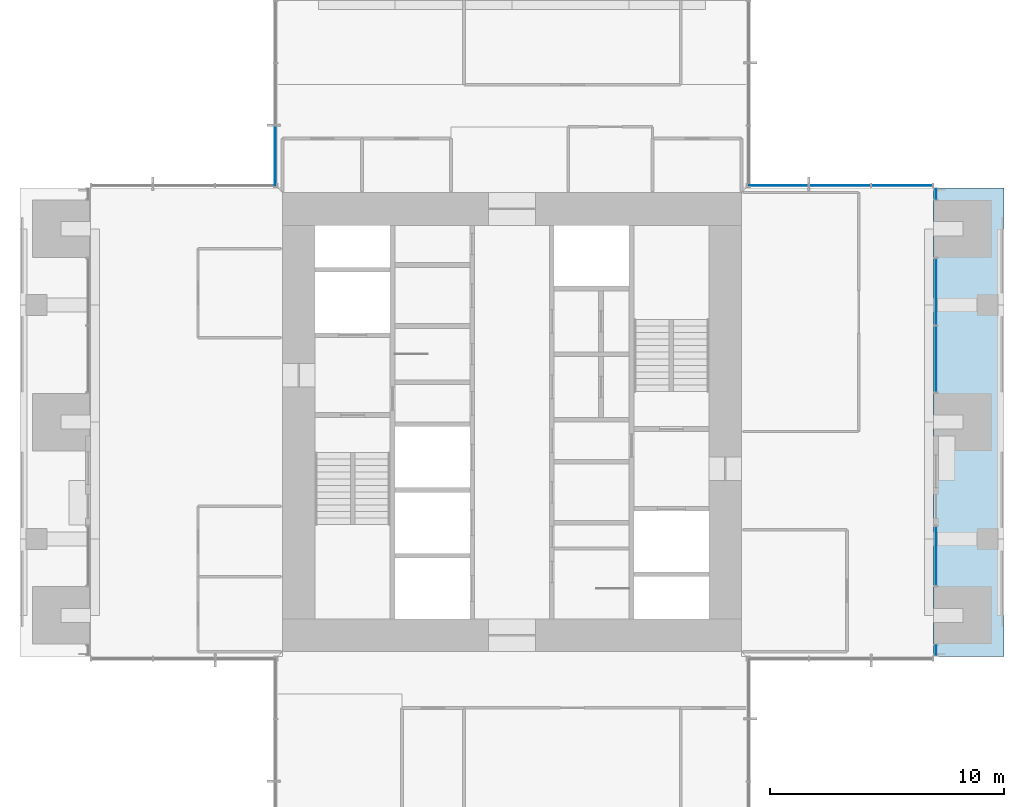
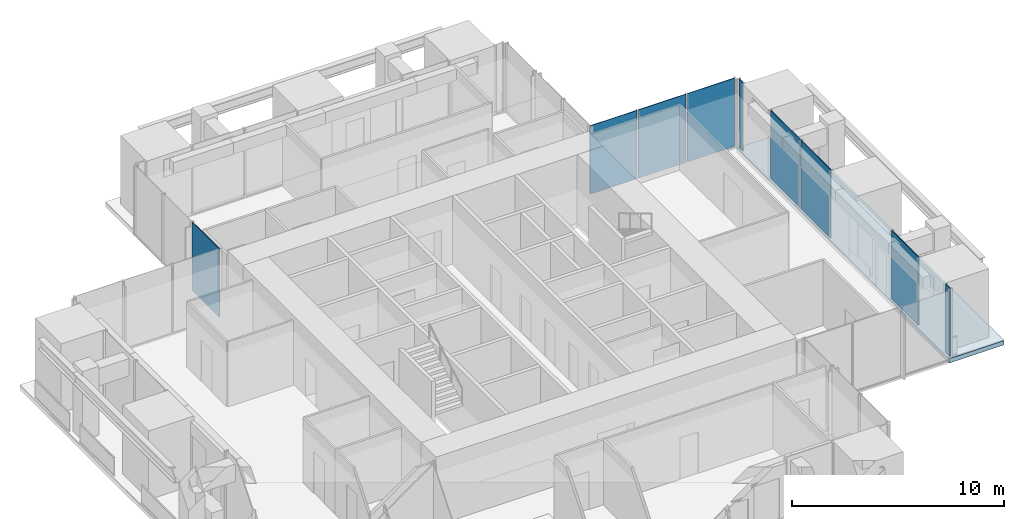
# One storey, part 10 of 17: 9 plates, 1 slab, 6 elements without a shape of their own.
"""IFC4 building model written with IfcOpenShell, lengths in metres."""

from ifc_helpers import new_model, si_unit, direction, frame, origin, origin_2d, place, context, subcontext, project, spatial, polyline, rectangle, outline, extrude, material, layer, layer_set, type_object, element, aggregate, save


model = new_model("IFC4")

# Units and contexts
model_context = context("Model", 3, precision=1e-05, world=origin(), true_north=direction((0.0, 1.0)))
body_context = subcontext(model_context, "Body", "Model", "MODEL_VIEW")
ifc_project = project(units=[si_unit("LENGTHUNIT", "METRE"), si_unit("AREAUNIT", "SQUARE_METRE"), si_unit("VOLUMEUNIT", "CUBIC_METRE"), si_unit("PLANEANGLEUNIT", "RADIAN"), si_unit("MASSUNIT", "GRAM", prefix="KILO")], contexts=[model_context])

# Site, building, storey
site_placement = place(None, origin())
site = spatial("IfcSite", under=ifc_project, at=site_placement, CompositionType="ELEMENT")
building_placement = place(site_placement, origin())
building = spatial("IfcBuilding", under=site, at=building_placement, Name="Svetlomir Tower", CompositionType="ELEMENT")
storey_placement = place(building_placement, frame((0.0, 0.0, 218.5)))
storey = spatial("IfcBuildingStorey", under=building, at=storey_placement, Name="L52", CompositionType="ELEMENT", Elevation=218.5)

# Curtain wall, plate
ifc_material_1 = material(Name="Bronze anodised aluminium curtain wall", Category="aluminium")
curtain_wall_type = type_object("IfcCurtainWallType", Name="CURTAIN WALL CW1 TOWER OFFICE", PredefinedType="NOTDEFINED", material=ifc_material_1)
curtain_wall_1_placement = place(storey_placement, origin())
curtain_wall_1 = element("IfcCurtainWall", 1, at=curtain_wall_1_placement, inside=storey, type_object=curtain_wall_type, Name="Curtain wall CW1 L52", PredefinedType="NOTDEFINED")
ifc_material_2 = material(Name="Tinted double glazed unit", Category="glass")
ifc_layer_1 = layer(ifc_material_2, 0.031982421875)
ifc_layer_set_1 = layer_set([ifc_layer_1], Name="Tinted double glazed unit")
plate_type = type_object("IfcPlateType", Name="CW1 GLAZED PANEL 32", PredefinedType="CURTAIN_PANEL", material=ifc_layer_set_1)
plate_1_placement = place(storey_placement, frame((39.10009765625, 11.262451171875, 0.06494140625), z_axis=(0.0, 0.0, 1.0), x_axis=(0.0, 1.0, 0.0)))
plate_1 = element("IfcPlate", 2, at=plate_1_placement, type_object=plate_type, Name="CW1 panel 1.1", PredefinedType="CURTAIN_PANEL", context=body_context, shape_type="SweptSolid", body=[
    extrude(rectangle(XDim=0.39501953125, YDim=0.031982421875, at=origin_2d()), origin(), (0.0, 0.0, 1.0), 3.93505859375),
])
aggregate(curtain_wall_1, [plate_1])

curtain_wall_2_placement = place(storey_placement, origin())
curtain_wall_2 = element("IfcCurtainWall", 3, at=curtain_wall_2_placement, inside=storey, type_object=curtain_wall_type, Name="Curtain wall CW1 L52", PredefinedType="NOTDEFINED")
plate_2_placement = place(storey_placement, frame((39.10009765625, 15.28759765625, 0.06494140625), z_axis=(0.0, 0.0, 1.0), x_axis=(0.0, 1.0, 0.0)))
plate_2 = element("IfcPlate", 4, at=plate_2_placement, type_object=plate_type, Name="CW1 panel 1.1", PredefinedType="CURTAIN_PANEL", context=body_context, shape_type="SweptSolid", body=[
    extrude(rectangle(XDim=2.4951171875, YDim=0.031982421875, at=origin_2d()), origin(), (0.0, 0.0, 1.0), 3.93505859375),
])
aggregate(curtain_wall_2, [plate_2])

# Curtain wall, plates
curtain_wall_3_placement = place(storey_placement, origin())
curtain_wall_3 = element("IfcCurtainWall", 5, at=curtain_wall_3_placement, inside=storey, type_object=curtain_wall_type, Name="Curtain wall CW1 L52", PredefinedType="NOTDEFINED")
plate_3_placement = place(storey_placement, frame((39.10009765625, 23.691162109375, 0.06494140625), z_axis=(0.0, 0.0, 1.0), x_axis=(0.0, 1.0, 0.0)))
plate_3 = element("IfcPlate", 6, at=plate_3_placement, type_object=plate_type, Name="CW1 panel 1.1", PredefinedType="CURTAIN_PANEL", context=body_context, shape_type="SweptSolid", body=[
    extrude(rectangle(XDim=2.802490234375, YDim=0.031982421875, at=origin_2d()), origin(), (0.0, 0.0, 1.0), 3.93505859375),
])
plate_4_placement = place(storey_placement, frame((39.10009765625, 26.558837890625, 0.06494140625), z_axis=(0.0, 0.0, 1.0), x_axis=(0.0, 1.0, 0.0)))
plate_4 = element("IfcPlate", 7, at=plate_4_placement, type_object=plate_type, Name="CW1 panel 2.1", PredefinedType="CURTAIN_PANEL", context=body_context, shape_type="SweptSolid", body=[
    extrude(rectangle(XDim=2.802490234375, YDim=0.031982421875, at=origin_2d()), origin(), (0.0, 0.0, 1.0), 3.93505859375),
])
aggregate(curtain_wall_3, [plate_3, plate_4])

# Curtain wall, plate
curtain_wall_4_placement = place(storey_placement, origin())
curtain_wall_4 = element("IfcCurtainWall", 8, at=curtain_wall_4_placement, inside=storey, type_object=curtain_wall_type, Name="Curtain wall CW1 L52", PredefinedType="NOTDEFINED")
plate_5_placement = place(storey_placement, frame((39.10009765625, 30.737548828125, 0.06494140625), z_axis=(0.0, 0.0, 1.0), x_axis=(0.0, 1.0, 0.0)))
plate_5 = element("IfcPlate", 9, at=plate_5_placement, type_object=plate_type, Name="CW1 panel 1.1", PredefinedType="CURTAIN_PANEL", context=body_context, shape_type="SweptSolid", body=[
    extrude(rectangle(XDim=0.39501953125, YDim=0.031982421875, at=origin_2d()), origin(), (0.0, 0.0, 1.0), 3.93505859375),
])
aggregate(curtain_wall_4, [plate_5])

# Curtain wall, plates
curtain_wall_5_placement = place(storey_placement, origin())
curtain_wall_5 = element("IfcCurtainWall", 10, at=curtain_wall_5_placement, inside=storey, type_object=curtain_wall_type, Name="Curtain wall CW1 L52", PredefinedType="NOTDEFINED")
plate_6_placement = place(storey_placement, frame((37.650390625, 31.10009765625, 0.06494140625), z_axis=(0.0, 0.0, 1.0), x_axis=(-1.0, 0.0, 0.0)))
plate_6 = element("IfcPlate", 11, at=plate_6_placement, type_object=plate_type, Name="CW1 panel 1.1", PredefinedType="CURTAIN_PANEL", context=body_context, shape_type="SweptSolid", body=[
    extrude(rectangle(XDim=2.569091796875, YDim=0.031982421875, at=origin_2d()), origin(), (0.0, 0.0, 1.0), 3.93505859375),
])
plate_7_placement = place(storey_placement, frame((35.0, 31.10009765625, 0.06494140625), z_axis=(0.0, 0.0, 1.0), x_axis=(-1.0, 0.0, 0.0)))
plate_7 = element("IfcPlate", 12, at=plate_7_placement, type_object=plate_type, Name="CW1 panel 2.1", PredefinedType="CURTAIN_PANEL", context=body_context, shape_type="SweptSolid", body=[
    extrude(rectangle(XDim=2.6015625, YDim=0.031982421875, at=origin_2d()), origin(), (0.0, 0.0, 1.0), 3.93505859375),
])
plate_8_placement = place(storey_placement, frame((32.349609375, 31.10009765625, 0.06494140625), z_axis=(0.0, 0.0, 1.0), x_axis=(-1.0, 0.0, 0.0)))
plate_8 = element("IfcPlate", 13, at=plate_8_placement, type_object=plate_type, Name="CW1 panel 3.1", PredefinedType="CURTAIN_PANEL", context=body_context, shape_type="SweptSolid", body=[
    extrude(rectangle(XDim=2.569091796875, YDim=0.031982421875, at=origin_2d()), origin(), (0.0, 0.0, 1.0), 3.93505859375),
])
aggregate(curtain_wall_5, [plate_6, plate_7, plate_8])

# Curtain wall, plate
curtain_wall_6_placement = place(storey_placement, origin())
curtain_wall_6 = element("IfcCurtainWall", 14, at=curtain_wall_6_placement, inside=storey, type_object=curtain_wall_type, Name="Curtain wall CW1 L52", PredefinedType="NOTDEFINED")
plate_9_placement = place(storey_placement, frame((10.89990234375, 32.349609375, 0.06494140625), z_axis=(0.0, 0.0, 1.0), x_axis=(0.0, -1.0, 0.0)))
plate_9 = element("IfcPlate", 15, at=plate_9_placement, type_object=plate_type, Name="CW1 panel 3.1", PredefinedType="CURTAIN_PANEL", context=body_context, shape_type="SweptSolid", body=[
    extrude(rectangle(XDim=2.569091796875, YDim=0.031982421875, at=origin_2d()), origin(), (0.0, 0.0, 1.0), 3.93505859375),
])
aggregate(curtain_wall_6, [plate_9])

# Slab
ifc_material_3 = material(Name="Concrete C60/75", Category="concrete")
ifc_layer_2 = layer(ifc_material_3, 0.25)
ifc_layer_set_2 = layer_set([ifc_layer_2], Name="Concrete C60/75")
slab_type = type_object("IfcSlabType", Name="PLANTED LOGGIA SLAB 250", PredefinedType="FLOOR", material=ifc_layer_set_2)
slab_placement = place(storey_placement, frame((0.0, 0.0, -0.25)))
element("IfcSlab", 16, at=slab_placement, inside=storey, type_object=slab_type, Name="L52 E planted loggia", PredefinedType="FLOOR", context=body_context, shape_type="SweptSolid", body=[
    extrude(outline(polyline([(39.0, 11.0), (42.0, 11.0), (42.0, 31.0), (39.0, 31.0), (39.0, 11.0)])), origin(), (0.0, 0.0, 1.0), 0.25),
])

save(model, "model.ifc")
